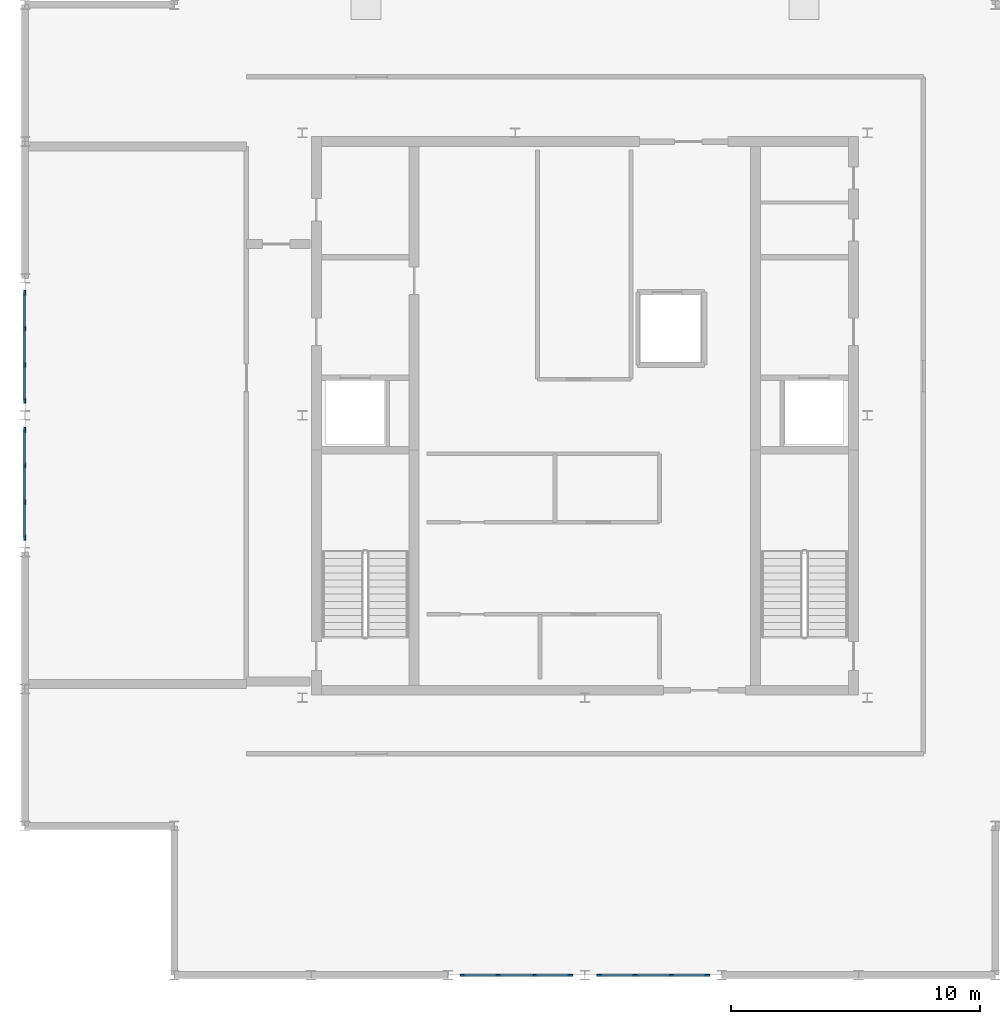
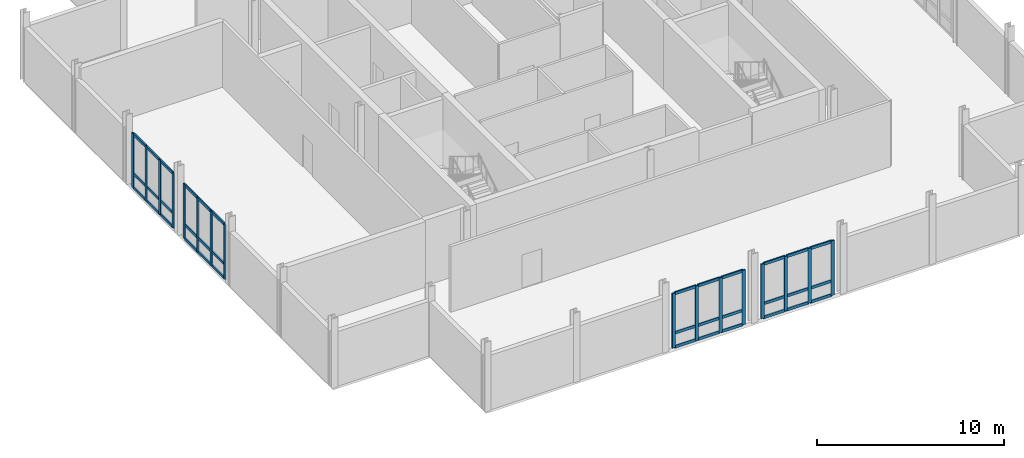
# One storey, part 2 of 7: 52 members, 4 elements without a shape of their own.
"""IFC4 building model written with IfcOpenShell, lengths in metres."""

from ifc_helpers import new_model, si_unit, direction, frame, origin, origin_2d, place, context, subcontext, project, spatial, rectangle, extrude, material, layer, layer_set, material_profile, profile_set, type_object, element, aggregate, save


model = new_model("IFC4")

# Units and contexts
model_context = context("Model", 3, precision=1e-05, world=origin(), true_north=direction((0.0, 1.0)))
body_context = subcontext(model_context, "Body", "Model", "MODEL_VIEW")
ifc_project = project(units=[si_unit("LENGTHUNIT", "METRE"), si_unit("AREAUNIT", "SQUARE_METRE"), si_unit("VOLUMEUNIT", "CUBIC_METRE"), si_unit("PLANEANGLEUNIT", "RADIAN"), si_unit("MASSUNIT", "GRAM", prefix="KILO")], contexts=[model_context])

# Site, building, storey
site_placement = place(None, origin())
site = spatial("IfcSite", under=ifc_project, at=site_placement, CompositionType="ELEMENT")
building_placement = place(site_placement, origin())
building = spatial("IfcBuilding", under=site, at=building_placement, Name="Nhamokura Convention Tower", CompositionType="ELEMENT")
storey_placement = place(building_placement, frame((0.0, 0.0, 326.89990234375)))
storey = spatial("IfcBuildingStorey", under=building, at=storey_placement, Name="L80", CompositionType="ELEMENT", Elevation=326.89990234375)

# Curtain wall, members
ifc_material_1 = material(Name="Anodised bronze aluminium AA6063-T6", Category="aluminium")
ifc_layer = layer(ifc_material_1, 0.2099609375)
ifc_layer_set = layer_set([ifc_layer], Name="CWSystem_SlantedCrown")
curtain_wall_type = type_object("IfcCurtainWallType", Name="CWSystem_SlantedCrown", PredefinedType="NOTDEFINED", material=ifc_layer_set)
curtain_wall_1_placement = place(storey_placement, origin())
curtain_wall_1 = element("IfcCurtainWall", 1, at=curtain_wall_1_placement, inside=storey, type_object=curtain_wall_type, Name="L80 Curtain Wall ENV-L80-CRCW-S2", PredefinedType="NOTDEFINED")
ifc_material_2 = material(Name="Anodised bronze aluminium AA6063-T6", Category="aluminium")
ifc_material_profile_1 = material_profile(ifc_material_2, rectangle(XDim=0.080078125, YDim=0.2099609375, at=origin_2d()))
ifc_profile_set_1 = profile_set([ifc_material_profile_1], Name="Anodised bronze aluminium AA6063-T6")
member_type_1 = type_object("IfcMemberType", Name="CWMullion_4", PredefinedType="MULLION", material=ifc_profile_set_1)
member_1_placement = place(storey_placement, frame((31.409912109375, 9.5, 0.0), z_axis=(0.0, 0.0, 1.0), x_axis=(0.0, -1.0, 0.0)))
member_1 = element("IfcMember", 2, at=member_1_placement, type_object=member_type_1, Name="CW-07 mullion 1", PredefinedType="MULLION", context=body_context, shape_type="SweptSolid", body=[
    extrude(rectangle(XDim=0.080078125, YDim=0.2099609375, at=origin_2d()), origin(), (0.0, 0.0, 1.0), 3.570068359375),
])
member_2_placement = place(storey_placement, frame((29.9833984375, 9.5, 0.0), z_axis=(0.0, 0.0, 1.0), x_axis=(0.0, -1.0, 0.0)))
member_2 = element("IfcMember", 3, at=member_2_placement, type_object=member_type_1, Name="CW-07 mullion 2", PredefinedType="MULLION", context=body_context, shape_type="SweptSolid", body=[
    extrude(rectangle(XDim=0.080078125, YDim=0.2099609375, at=origin_2d()), origin(), (0.0, 0.0, 1.0), 3.570068359375),
])
member_3_placement = place(storey_placement, frame((28.5166015625, 9.5, 0.0), z_axis=(0.0, 0.0, 1.0), x_axis=(0.0, -1.0, 0.0)))
member_3 = element("IfcMember", 4, at=member_3_placement, type_object=member_type_1, Name="CW-07 mullion 3", PredefinedType="MULLION", context=body_context, shape_type="SweptSolid", body=[
    extrude(rectangle(XDim=0.080078125, YDim=0.2099609375, at=origin_2d()), origin(), (0.0, 0.0, 1.0), 3.570068359375),
])
member_4_placement = place(storey_placement, frame((27.090087890625, 9.5, 0.0), z_axis=(0.0, 0.0, 1.0), x_axis=(0.0, -1.0, 0.0)))
member_4 = element("IfcMember", 5, at=member_4_placement, type_object=member_type_1, Name="CW-07 mullion 4", PredefinedType="MULLION", context=body_context, shape_type="SweptSolid", body=[
    extrude(rectangle(XDim=0.080078125, YDim=0.2099609375, at=origin_2d()), origin(), (0.0, 0.0, 1.0), 3.570068359375),
])

curtain_wall_2_placement = place(storey_placement, origin())
curtain_wall_2 = element("IfcCurtainWall", 6, at=curtain_wall_2_placement, inside=storey, type_object=curtain_wall_type, Name="L80 Curtain Wall ENV-L80-CRCW-S3", PredefinedType="NOTDEFINED")
member_5_placement = place(storey_placement, frame((36.909912109375, 9.5, 0.0), z_axis=(0.0, 0.0, 1.0), x_axis=(0.0, -1.0, 0.0)))
member_5 = element("IfcMember", 7, at=member_5_placement, type_object=member_type_1, Name="CW-07 mullion 1", PredefinedType="MULLION", context=body_context, shape_type="SweptSolid", body=[
    extrude(rectangle(XDim=0.080078125, YDim=0.2099609375, at=origin_2d()), origin(), (0.0, 0.0, 1.0), 3.570068359375),
])
member_6_placement = place(storey_placement, frame((35.4833984375, 9.5, 0.0), z_axis=(0.0, 0.0, 1.0), x_axis=(0.0, -1.0, 0.0)))
member_6 = element("IfcMember", 8, at=member_6_placement, type_object=member_type_1, Name="CW-07 mullion 2", PredefinedType="MULLION", context=body_context, shape_type="SweptSolid", body=[
    extrude(rectangle(XDim=0.080078125, YDim=0.2099609375, at=origin_2d()), origin(), (0.0, 0.0, 1.0), 3.570068359375),
])
member_7_placement = place(storey_placement, frame((34.0166015625, 9.5, 0.0), z_axis=(0.0, 0.0, 1.0), x_axis=(0.0, -1.0, 0.0)))
member_7 = element("IfcMember", 9, at=member_7_placement, type_object=member_type_1, Name="CW-07 mullion 3", PredefinedType="MULLION", context=body_context, shape_type="SweptSolid", body=[
    extrude(rectangle(XDim=0.080078125, YDim=0.2099609375, at=origin_2d()), origin(), (0.0, 0.0, 1.0), 3.570068359375),
])
member_8_placement = place(storey_placement, frame((32.590087890625, 9.5, 0.0), z_axis=(0.0, 0.0, 1.0), x_axis=(0.0, -1.0, 0.0)))
member_8 = element("IfcMember", 10, at=member_8_placement, type_object=member_type_1, Name="CW-07 mullion 4", PredefinedType="MULLION", context=body_context, shape_type="SweptSolid", body=[
    extrude(rectangle(XDim=0.080078125, YDim=0.2099609375, at=origin_2d()), origin(), (0.0, 0.0, 1.0), 3.570068359375),
])

curtain_wall_3_placement = place(storey_placement, origin())
curtain_wall_3 = element("IfcCurtainWall", 11, at=curtain_wall_3_placement, inside=storey, type_object=curtain_wall_type, Name="L80 Curtain Wall ENV-L80-CRCW-W2", PredefinedType="NOTDEFINED")
member_9_placement = place(storey_placement, frame((9.5, 27.090087890625, 0.0), z_axis=(0.0, 0.0, 1.0), x_axis=(-1.0, 0.0, 0.0)))
member_9 = element("IfcMember", 12, at=member_9_placement, type_object=member_type_1, Name="CW-07 mullion 1", PredefinedType="MULLION", context=body_context, shape_type="SweptSolid", body=[
    extrude(rectangle(XDim=0.080078125, YDim=0.2099609375, at=origin_2d()), origin(), (0.0, 0.0, 1.0), 3.570068359375),
])
member_10_placement = place(storey_placement, frame((9.5, 28.5166015625, 0.0), z_axis=(0.0, 0.0, 1.0), x_axis=(-1.0, 0.0, 0.0)))
member_10 = element("IfcMember", 13, at=member_10_placement, type_object=member_type_1, Name="CW-07 mullion 2", PredefinedType="MULLION", context=body_context, shape_type="SweptSolid", body=[
    extrude(rectangle(XDim=0.080078125, YDim=0.2099609375, at=origin_2d()), origin(), (0.0, 0.0, 1.0), 3.570068359375),
])
member_11_placement = place(storey_placement, frame((9.5, 29.9833984375, 0.0), z_axis=(0.0, 0.0, 1.0), x_axis=(-1.0, 0.0, 0.0)))
member_11 = element("IfcMember", 14, at=member_11_placement, type_object=member_type_1, Name="CW-07 mullion 3", PredefinedType="MULLION", context=body_context, shape_type="SweptSolid", body=[
    extrude(rectangle(XDim=0.080078125, YDim=0.2099609375, at=origin_2d()), origin(), (0.0, 0.0, 1.0), 3.570068359375),
])
member_12_placement = place(storey_placement, frame((9.5, 31.409912109375, 0.0), z_axis=(0.0, 0.0, 1.0), x_axis=(-1.0, 0.0, 0.0)))
member_12 = element("IfcMember", 15, at=member_12_placement, type_object=member_type_1, Name="CW-07 mullion 4", PredefinedType="MULLION", context=body_context, shape_type="SweptSolid", body=[
    extrude(rectangle(XDim=0.080078125, YDim=0.2099609375, at=origin_2d()), origin(), (0.0, 0.0, 1.0), 3.570068359375),
])

curtain_wall_4_placement = place(storey_placement, origin())
curtain_wall_4 = element("IfcCurtainWall", 16, at=curtain_wall_4_placement, inside=storey, type_object=curtain_wall_type, Name="L80 Curtain Wall ENV-L80-CRCW-W3", PredefinedType="NOTDEFINED")
member_13_placement = place(storey_placement, frame((9.5, 32.590087890625, 0.0), z_axis=(0.0, 0.0, 1.0), x_axis=(-1.0, 0.0, 0.0)))
member_13 = element("IfcMember", 17, at=member_13_placement, type_object=member_type_1, Name="CW-07 mullion 1", PredefinedType="MULLION", context=body_context, shape_type="SweptSolid", body=[
    extrude(rectangle(XDim=0.080078125, YDim=0.2099609375, at=origin_2d()), origin(), (0.0, 0.0, 1.0), 3.570068359375),
])
member_14_placement = place(storey_placement, frame((9.5, 34.0166015625, 0.0), z_axis=(0.0, 0.0, 1.0), x_axis=(-1.0, 0.0, 0.0)))
member_14 = element("IfcMember", 18, at=member_14_placement, type_object=member_type_1, Name="CW-07 mullion 2", PredefinedType="MULLION", context=body_context, shape_type="SweptSolid", body=[
    extrude(rectangle(XDim=0.080078125, YDim=0.2099609375, at=origin_2d()), origin(), (0.0, 0.0, 1.0), 3.570068359375),
])
member_15_placement = place(storey_placement, frame((9.5, 35.4833984375, 0.0), z_axis=(0.0, 0.0, 1.0), x_axis=(-1.0, 0.0, 0.0)))
member_15 = element("IfcMember", 19, at=member_15_placement, type_object=member_type_1, Name="CW-07 mullion 3", PredefinedType="MULLION", context=body_context, shape_type="SweptSolid", body=[
    extrude(rectangle(XDim=0.080078125, YDim=0.2099609375, at=origin_2d()), origin(), (0.0, 0.0, 1.0), 3.570068359375),
])
member_16_placement = place(storey_placement, frame((9.5, 36.909912109375, 0.0), z_axis=(0.0, 0.0, 1.0), x_axis=(-1.0, 0.0, 0.0)))
member_16 = element("IfcMember", 20, at=member_16_placement, type_object=member_type_1, Name="CW-07 mullion 4", PredefinedType="MULLION", context=body_context, shape_type="SweptSolid", body=[
    extrude(rectangle(XDim=0.080078125, YDim=0.2099609375, at=origin_2d()), origin(), (0.0, 0.0, 1.0), 3.570068359375),
])

# Member
ifc_material_3 = material(Name="Anodised bronze aluminium AA6063-T6", Category="aluminium")
ifc_material_profile_2 = material_profile(ifc_material_3, rectangle(XDim=0.080078125, YDim=0.18505859375, at=origin_2d()))
ifc_profile_set_2 = profile_set([ifc_material_profile_2], Name="Anodised bronze aluminium AA6063-T6")
member_type_2 = type_object("IfcMemberType", Name="CWTransom_4", PredefinedType="USERDEFINED", material=ifc_profile_set_2)
member_17_placement = place(storey_placement, frame((31.3701171875, 9.5, 0.0400390625), z_axis=(-1.0, 0.0, 0.0), x_axis=(0.0, -1.0, 0.0)))
member_17 = element("IfcMember", 21, at=member_17_placement, type_object=member_type_2, Name="CW-07 transom 1.1", ObjectType="TRANSOM", PredefinedType="USERDEFINED", context=body_context, shape_type="SweptSolid", body=[
    extrude(rectangle(XDim=0.080078125, YDim=0.18505859375, at=origin_2d()), origin(), (0.0, 0.0, 1.0), 1.3466796875),
])

member_18_placement = place(storey_placement, frame((31.3701171875, 9.5, 0.9501953125), z_axis=(-1.0, 0.0, 0.0), x_axis=(0.0, -1.0, 0.0)))
member_18 = element("IfcMember", 22, at=member_18_placement, type_object=member_type_2, Name="CW-07 transom 1.2", ObjectType="TRANSOM", PredefinedType="USERDEFINED", context=body_context, shape_type="SweptSolid", body=[
    extrude(rectangle(XDim=0.080078125, YDim=0.18505859375, at=origin_2d()), origin(), (0.0, 0.0, 1.0), 1.3466796875),
])

member_19_placement = place(storey_placement, frame((31.3701171875, 9.5, 3.530029296875), z_axis=(-1.0, 0.0, 0.0), x_axis=(0.0, -1.0, 0.0)))
member_19 = element("IfcMember", 23, at=member_19_placement, type_object=member_type_2, Name="CW-07 transom 1.3", ObjectType="TRANSOM", PredefinedType="USERDEFINED", context=body_context, shape_type="SweptSolid", body=[
    extrude(rectangle(XDim=0.080078125, YDim=0.18505859375, at=origin_2d()), origin(), (0.0, 0.0, 1.0), 1.3466796875),
])

member_20_placement = place(storey_placement, frame((29.943359375, 9.5, 0.0400390625), z_axis=(-1.0, 0.0, 0.0), x_axis=(0.0, -1.0, 0.0)))
member_20 = element("IfcMember", 24, at=member_20_placement, type_object=member_type_2, Name="CW-07 transom 2.1", ObjectType="TRANSOM", PredefinedType="USERDEFINED", context=body_context, shape_type="SweptSolid", body=[
    extrude(rectangle(XDim=0.080078125, YDim=0.18505859375, at=origin_2d()), origin(), (0.0, 0.0, 1.0), 1.38671875),
])

member_21_placement = place(storey_placement, frame((29.943359375, 9.5, 0.9501953125), z_axis=(-1.0, 0.0, 0.0), x_axis=(0.0, -1.0, 0.0)))
member_21 = element("IfcMember", 25, at=member_21_placement, type_object=member_type_2, Name="CW-07 transom 2.2", ObjectType="TRANSOM", PredefinedType="USERDEFINED", context=body_context, shape_type="SweptSolid", body=[
    extrude(rectangle(XDim=0.080078125, YDim=0.18505859375, at=origin_2d()), origin(), (0.0, 0.0, 1.0), 1.38671875),
])

member_22_placement = place(storey_placement, frame((29.943359375, 9.5, 3.530029296875), z_axis=(-1.0, 0.0, 0.0), x_axis=(0.0, -1.0, 0.0)))
member_22 = element("IfcMember", 26, at=member_22_placement, type_object=member_type_2, Name="CW-07 transom 2.3", ObjectType="TRANSOM", PredefinedType="USERDEFINED", context=body_context, shape_type="SweptSolid", body=[
    extrude(rectangle(XDim=0.080078125, YDim=0.18505859375, at=origin_2d()), origin(), (0.0, 0.0, 1.0), 1.38671875),
])

member_23_placement = place(storey_placement, frame((28.4765625, 9.5, 0.0400390625), z_axis=(-1.0, 0.0, 0.0), x_axis=(0.0, -1.0, 0.0)))
member_23 = element("IfcMember", 27, at=member_23_placement, type_object=member_type_2, Name="CW-07 transom 3.1", ObjectType="TRANSOM", PredefinedType="USERDEFINED", context=body_context, shape_type="SweptSolid", body=[
    extrude(rectangle(XDim=0.080078125, YDim=0.18505859375, at=origin_2d()), origin(), (0.0, 0.0, 1.0), 1.3466796875),
])

member_24_placement = place(storey_placement, frame((28.4765625, 9.5, 0.9501953125), z_axis=(-1.0, 0.0, 0.0), x_axis=(0.0, -1.0, 0.0)))
member_24 = element("IfcMember", 28, at=member_24_placement, type_object=member_type_2, Name="CW-07 transom 3.2", ObjectType="TRANSOM", PredefinedType="USERDEFINED", context=body_context, shape_type="SweptSolid", body=[
    extrude(rectangle(XDim=0.080078125, YDim=0.18505859375, at=origin_2d()), origin(), (0.0, 0.0, 1.0), 1.3466796875),
])

member_25_placement = place(storey_placement, frame((28.4765625, 9.5, 3.530029296875), z_axis=(-1.0, 0.0, 0.0), x_axis=(0.0, -1.0, 0.0)))
member_25 = element("IfcMember", 29, at=member_25_placement, type_object=member_type_2, Name="CW-07 transom 3.3", ObjectType="TRANSOM", PredefinedType="USERDEFINED", context=body_context, shape_type="SweptSolid", body=[
    extrude(rectangle(XDim=0.080078125, YDim=0.18505859375, at=origin_2d()), origin(), (0.0, 0.0, 1.0), 1.3466796875),
])

aggregate(curtain_wall_1, [member_1, member_2, member_3, member_4, member_17, member_18, member_19, member_20, member_21, member_22, member_23, member_24, member_25])

member_26_placement = place(storey_placement, frame((36.8701171875, 9.5, 0.0400390625), z_axis=(-1.0, 0.0, 0.0), x_axis=(0.0, -1.0, 0.0)))
member_26 = element("IfcMember", 30, at=member_26_placement, type_object=member_type_2, Name="CW-07 transom 1.1", ObjectType="TRANSOM", PredefinedType="USERDEFINED", context=body_context, shape_type="SweptSolid", body=[
    extrude(rectangle(XDim=0.080078125, YDim=0.18505859375, at=origin_2d()), origin(), (0.0, 0.0, 1.0), 1.3466796875),
])

member_27_placement = place(storey_placement, frame((36.8701171875, 9.5, 0.9501953125), z_axis=(-1.0, 0.0, 0.0), x_axis=(0.0, -1.0, 0.0)))
member_27 = element("IfcMember", 31, at=member_27_placement, type_object=member_type_2, Name="CW-07 transom 1.2", ObjectType="TRANSOM", PredefinedType="USERDEFINED", context=body_context, shape_type="SweptSolid", body=[
    extrude(rectangle(XDim=0.080078125, YDim=0.18505859375, at=origin_2d()), origin(), (0.0, 0.0, 1.0), 1.3466796875),
])

member_28_placement = place(storey_placement, frame((36.8701171875, 9.5, 3.530029296875), z_axis=(-1.0, 0.0, 0.0), x_axis=(0.0, -1.0, 0.0)))
member_28 = element("IfcMember", 32, at=member_28_placement, type_object=member_type_2, Name="CW-07 transom 1.3", ObjectType="TRANSOM", PredefinedType="USERDEFINED", context=body_context, shape_type="SweptSolid", body=[
    extrude(rectangle(XDim=0.080078125, YDim=0.18505859375, at=origin_2d()), origin(), (0.0, 0.0, 1.0), 1.3466796875),
])

member_29_placement = place(storey_placement, frame((35.443359375, 9.5, 0.0400390625), z_axis=(-1.0, 0.0, 0.0), x_axis=(0.0, -1.0, 0.0)))
member_29 = element("IfcMember", 33, at=member_29_placement, type_object=member_type_2, Name="CW-07 transom 2.1", ObjectType="TRANSOM", PredefinedType="USERDEFINED", context=body_context, shape_type="SweptSolid", body=[
    extrude(rectangle(XDim=0.080078125, YDim=0.18505859375, at=origin_2d()), origin(), (0.0, 0.0, 1.0), 1.38671875),
])

member_30_placement = place(storey_placement, frame((35.443359375, 9.5, 0.9501953125), z_axis=(-1.0, 0.0, 0.0), x_axis=(0.0, -1.0, 0.0)))
member_30 = element("IfcMember", 34, at=member_30_placement, type_object=member_type_2, Name="CW-07 transom 2.2", ObjectType="TRANSOM", PredefinedType="USERDEFINED", context=body_context, shape_type="SweptSolid", body=[
    extrude(rectangle(XDim=0.080078125, YDim=0.18505859375, at=origin_2d()), origin(), (0.0, 0.0, 1.0), 1.38671875),
])

member_31_placement = place(storey_placement, frame((35.443359375, 9.5, 3.530029296875), z_axis=(-1.0, 0.0, 0.0), x_axis=(0.0, -1.0, 0.0)))
member_31 = element("IfcMember", 35, at=member_31_placement, type_object=member_type_2, Name="CW-07 transom 2.3", ObjectType="TRANSOM", PredefinedType="USERDEFINED", context=body_context, shape_type="SweptSolid", body=[
    extrude(rectangle(XDim=0.080078125, YDim=0.18505859375, at=origin_2d()), origin(), (0.0, 0.0, 1.0), 1.38671875),
])

member_32_placement = place(storey_placement, frame((33.9765625, 9.5, 0.0400390625), z_axis=(-1.0, 0.0, 0.0), x_axis=(0.0, -1.0, 0.0)))
member_32 = element("IfcMember", 36, at=member_32_placement, type_object=member_type_2, Name="CW-07 transom 3.1", ObjectType="TRANSOM", PredefinedType="USERDEFINED", context=body_context, shape_type="SweptSolid", body=[
    extrude(rectangle(XDim=0.080078125, YDim=0.18505859375, at=origin_2d()), origin(), (0.0, 0.0, 1.0), 1.3466796875),
])

member_33_placement = place(storey_placement, frame((33.9765625, 9.5, 0.9501953125), z_axis=(-1.0, 0.0, 0.0), x_axis=(0.0, -1.0, 0.0)))
member_33 = element("IfcMember", 37, at=member_33_placement, type_object=member_type_2, Name="CW-07 transom 3.2", ObjectType="TRANSOM", PredefinedType="USERDEFINED", context=body_context, shape_type="SweptSolid", body=[
    extrude(rectangle(XDim=0.080078125, YDim=0.18505859375, at=origin_2d()), origin(), (0.0, 0.0, 1.0), 1.3466796875),
])

member_34_placement = place(storey_placement, frame((33.9765625, 9.5, 3.530029296875), z_axis=(-1.0, 0.0, 0.0), x_axis=(0.0, -1.0, 0.0)))
member_34 = element("IfcMember", 38, at=member_34_placement, type_object=member_type_2, Name="CW-07 transom 3.3", ObjectType="TRANSOM", PredefinedType="USERDEFINED", context=body_context, shape_type="SweptSolid", body=[
    extrude(rectangle(XDim=0.080078125, YDim=0.18505859375, at=origin_2d()), origin(), (0.0, 0.0, 1.0), 1.3466796875),
])

aggregate(curtain_wall_2, [member_5, member_6, member_7, member_8, member_26, member_27, member_28, member_29, member_30, member_31, member_32, member_33, member_34])

member_35_placement = place(storey_placement, frame((9.5, 27.1298828125, 0.0400390625), z_axis=(0.0, 1.0, 0.0), x_axis=(-1.0, 0.0, 0.0)))
member_35 = element("IfcMember", 39, at=member_35_placement, type_object=member_type_2, Name="CW-07 transom 1.1", ObjectType="TRANSOM", PredefinedType="USERDEFINED", context=body_context, shape_type="SweptSolid", body=[
    extrude(rectangle(XDim=0.080078125, YDim=0.18505859375, at=origin_2d()), origin(), (0.0, 0.0, 1.0), 1.3466796875),
])

member_36_placement = place(storey_placement, frame((9.5, 27.1298828125, 0.9501953125), z_axis=(0.0, 1.0, 0.0), x_axis=(-1.0, 0.0, 0.0)))
member_36 = element("IfcMember", 40, at=member_36_placement, type_object=member_type_2, Name="CW-07 transom 1.2", ObjectType="TRANSOM", PredefinedType="USERDEFINED", context=body_context, shape_type="SweptSolid", body=[
    extrude(rectangle(XDim=0.080078125, YDim=0.18505859375, at=origin_2d()), origin(), (0.0, 0.0, 1.0), 1.3466796875),
])

member_37_placement = place(storey_placement, frame((9.5, 27.1298828125, 3.530029296875), z_axis=(0.0, 1.0, 0.0), x_axis=(-1.0, 0.0, 0.0)))
member_37 = element("IfcMember", 41, at=member_37_placement, type_object=member_type_2, Name="CW-07 transom 1.3", ObjectType="TRANSOM", PredefinedType="USERDEFINED", context=body_context, shape_type="SweptSolid", body=[
    extrude(rectangle(XDim=0.080078125, YDim=0.18505859375, at=origin_2d()), origin(), (0.0, 0.0, 1.0), 1.3466796875),
])

member_38_placement = place(storey_placement, frame((9.5, 28.556640625, 0.0400390625), z_axis=(0.0, 1.0, 0.0), x_axis=(-1.0, 0.0, 0.0)))
member_38 = element("IfcMember", 42, at=member_38_placement, type_object=member_type_2, Name="CW-07 transom 2.1", ObjectType="TRANSOM", PredefinedType="USERDEFINED", context=body_context, shape_type="SweptSolid", body=[
    extrude(rectangle(XDim=0.080078125, YDim=0.18505859375, at=origin_2d()), origin(), (0.0, 0.0, 1.0), 1.38671875),
])

member_39_placement = place(storey_placement, frame((9.5, 28.556640625, 0.9501953125), z_axis=(0.0, 1.0, 0.0), x_axis=(-1.0, 0.0, 0.0)))
member_39 = element("IfcMember", 43, at=member_39_placement, type_object=member_type_2, Name="CW-07 transom 2.2", ObjectType="TRANSOM", PredefinedType="USERDEFINED", context=body_context, shape_type="SweptSolid", body=[
    extrude(rectangle(XDim=0.080078125, YDim=0.18505859375, at=origin_2d()), origin(), (0.0, 0.0, 1.0), 1.38671875),
])

member_40_placement = place(storey_placement, frame((9.5, 28.556640625, 3.530029296875), z_axis=(0.0, 1.0, 0.0), x_axis=(-1.0, 0.0, 0.0)))
member_40 = element("IfcMember", 44, at=member_40_placement, type_object=member_type_2, Name="CW-07 transom 2.3", ObjectType="TRANSOM", PredefinedType="USERDEFINED", context=body_context, shape_type="SweptSolid", body=[
    extrude(rectangle(XDim=0.080078125, YDim=0.18505859375, at=origin_2d()), origin(), (0.0, 0.0, 1.0), 1.38671875),
])

member_41_placement = place(storey_placement, frame((9.5, 30.0234375, 0.0400390625), z_axis=(0.0, 1.0, 0.0), x_axis=(-1.0, 0.0, 0.0)))
member_41 = element("IfcMember", 45, at=member_41_placement, type_object=member_type_2, Name="CW-07 transom 3.1", ObjectType="TRANSOM", PredefinedType="USERDEFINED", context=body_context, shape_type="SweptSolid", body=[
    extrude(rectangle(XDim=0.080078125, YDim=0.18505859375, at=origin_2d()), origin(), (0.0, 0.0, 1.0), 1.3466796875),
])

member_42_placement = place(storey_placement, frame((9.5, 30.0234375, 0.9501953125), z_axis=(0.0, 1.0, 0.0), x_axis=(-1.0, 0.0, 0.0)))
member_42 = element("IfcMember", 46, at=member_42_placement, type_object=member_type_2, Name="CW-07 transom 3.2", ObjectType="TRANSOM", PredefinedType="USERDEFINED", context=body_context, shape_type="SweptSolid", body=[
    extrude(rectangle(XDim=0.080078125, YDim=0.18505859375, at=origin_2d()), origin(), (0.0, 0.0, 1.0), 1.3466796875),
])

member_43_placement = place(storey_placement, frame((9.5, 30.0234375, 3.530029296875), z_axis=(0.0, 1.0, 0.0), x_axis=(-1.0, 0.0, 0.0)))
member_43 = element("IfcMember", 47, at=member_43_placement, type_object=member_type_2, Name="CW-07 transom 3.3", ObjectType="TRANSOM", PredefinedType="USERDEFINED", context=body_context, shape_type="SweptSolid", body=[
    extrude(rectangle(XDim=0.080078125, YDim=0.18505859375, at=origin_2d()), origin(), (0.0, 0.0, 1.0), 1.3466796875),
])

aggregate(curtain_wall_3, [member_9, member_10, member_11, member_12, member_35, member_36, member_37, member_38, member_39, member_40, member_41, member_42, member_43])

member_44_placement = place(storey_placement, frame((9.5, 32.6298828125, 0.0400390625), z_axis=(0.0, 1.0, 0.0), x_axis=(-1.0, 0.0, 0.0)))
member_44 = element("IfcMember", 48, at=member_44_placement, type_object=member_type_2, Name="CW-07 transom 1.1", ObjectType="TRANSOM", PredefinedType="USERDEFINED", context=body_context, shape_type="SweptSolid", body=[
    extrude(rectangle(XDim=0.080078125, YDim=0.18505859375, at=origin_2d()), origin(), (0.0, 0.0, 1.0), 1.3466796875),
])

member_45_placement = place(storey_placement, frame((9.5, 32.6298828125, 0.9501953125), z_axis=(0.0, 1.0, 0.0), x_axis=(-1.0, 0.0, 0.0)))
member_45 = element("IfcMember", 49, at=member_45_placement, type_object=member_type_2, Name="CW-07 transom 1.2", ObjectType="TRANSOM", PredefinedType="USERDEFINED", context=body_context, shape_type="SweptSolid", body=[
    extrude(rectangle(XDim=0.080078125, YDim=0.18505859375, at=origin_2d()), origin(), (0.0, 0.0, 1.0), 1.3466796875),
])

member_46_placement = place(storey_placement, frame((9.5, 32.6298828125, 3.530029296875), z_axis=(0.0, 1.0, 0.0), x_axis=(-1.0, 0.0, 0.0)))
member_46 = element("IfcMember", 50, at=member_46_placement, type_object=member_type_2, Name="CW-07 transom 1.3", ObjectType="TRANSOM", PredefinedType="USERDEFINED", context=body_context, shape_type="SweptSolid", body=[
    extrude(rectangle(XDim=0.080078125, YDim=0.18505859375, at=origin_2d()), origin(), (0.0, 0.0, 1.0), 1.3466796875),
])

member_47_placement = place(storey_placement, frame((9.5, 34.056640625, 0.0400390625), z_axis=(0.0, 1.0, 0.0), x_axis=(-1.0, 0.0, 0.0)))
member_47 = element("IfcMember", 51, at=member_47_placement, type_object=member_type_2, Name="CW-07 transom 2.1", ObjectType="TRANSOM", PredefinedType="USERDEFINED", context=body_context, shape_type="SweptSolid", body=[
    extrude(rectangle(XDim=0.080078125, YDim=0.18505859375, at=origin_2d()), origin(), (0.0, 0.0, 1.0), 1.38671875),
])

member_48_placement = place(storey_placement, frame((9.5, 34.056640625, 0.9501953125), z_axis=(0.0, 1.0, 0.0), x_axis=(-1.0, 0.0, 0.0)))
member_48 = element("IfcMember", 52, at=member_48_placement, type_object=member_type_2, Name="CW-07 transom 2.2", ObjectType="TRANSOM", PredefinedType="USERDEFINED", context=body_context, shape_type="SweptSolid", body=[
    extrude(rectangle(XDim=0.080078125, YDim=0.18505859375, at=origin_2d()), origin(), (0.0, 0.0, 1.0), 1.38671875),
])

member_49_placement = place(storey_placement, frame((9.5, 34.056640625, 3.530029296875), z_axis=(0.0, 1.0, 0.0), x_axis=(-1.0, 0.0, 0.0)))
member_49 = element("IfcMember", 53, at=member_49_placement, type_object=member_type_2, Name="CW-07 transom 2.3", ObjectType="TRANSOM", PredefinedType="USERDEFINED", context=body_context, shape_type="SweptSolid", body=[
    extrude(rectangle(XDim=0.080078125, YDim=0.18505859375, at=origin_2d()), origin(), (0.0, 0.0, 1.0), 1.38671875),
])

member_50_placement = place(storey_placement, frame((9.5, 35.5234375, 0.0400390625), z_axis=(0.0, 1.0, 0.0), x_axis=(-1.0, 0.0, 0.0)))
member_50 = element("IfcMember", 54, at=member_50_placement, type_object=member_type_2, Name="CW-07 transom 3.1", ObjectType="TRANSOM", PredefinedType="USERDEFINED", context=body_context, shape_type="SweptSolid", body=[
    extrude(rectangle(XDim=0.080078125, YDim=0.18505859375, at=origin_2d()), origin(), (0.0, 0.0, 1.0), 1.3466796875),
])

member_51_placement = place(storey_placement, frame((9.5, 35.5234375, 0.9501953125), z_axis=(0.0, 1.0, 0.0), x_axis=(-1.0, 0.0, 0.0)))
member_51 = element("IfcMember", 55, at=member_51_placement, type_object=member_type_2, Name="CW-07 transom 3.2", ObjectType="TRANSOM", PredefinedType="USERDEFINED", context=body_context, shape_type="SweptSolid", body=[
    extrude(rectangle(XDim=0.080078125, YDim=0.18505859375, at=origin_2d()), origin(), (0.0, 0.0, 1.0), 1.3466796875),
])

member_52_placement = place(storey_placement, frame((9.5, 35.5234375, 3.530029296875), z_axis=(0.0, 1.0, 0.0), x_axis=(-1.0, 0.0, 0.0)))
member_52 = element("IfcMember", 56, at=member_52_placement, type_object=member_type_2, Name="CW-07 transom 3.3", ObjectType="TRANSOM", PredefinedType="USERDEFINED", context=body_context, shape_type="SweptSolid", body=[
    extrude(rectangle(XDim=0.080078125, YDim=0.18505859375, at=origin_2d()), origin(), (0.0, 0.0, 1.0), 1.3466796875),
])

aggregate(curtain_wall_4, [member_13, member_14, member_15, member_16, member_44, member_45, member_46, member_47, member_48, member_49, member_50, member_51, member_52])

save(model, "model.ifc")
